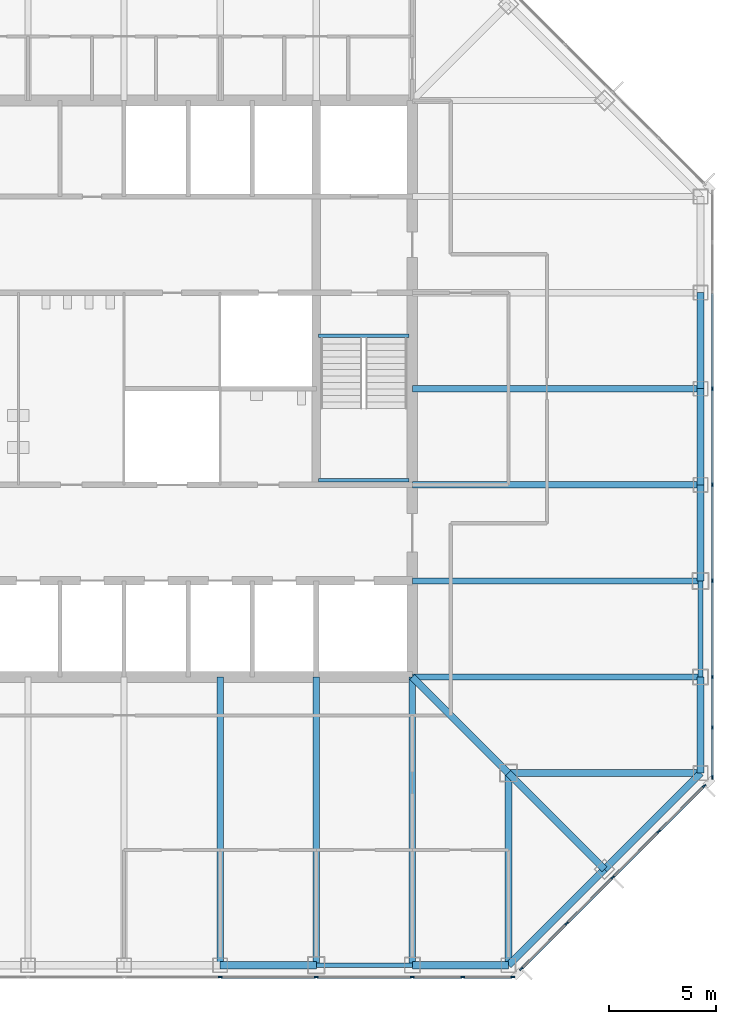
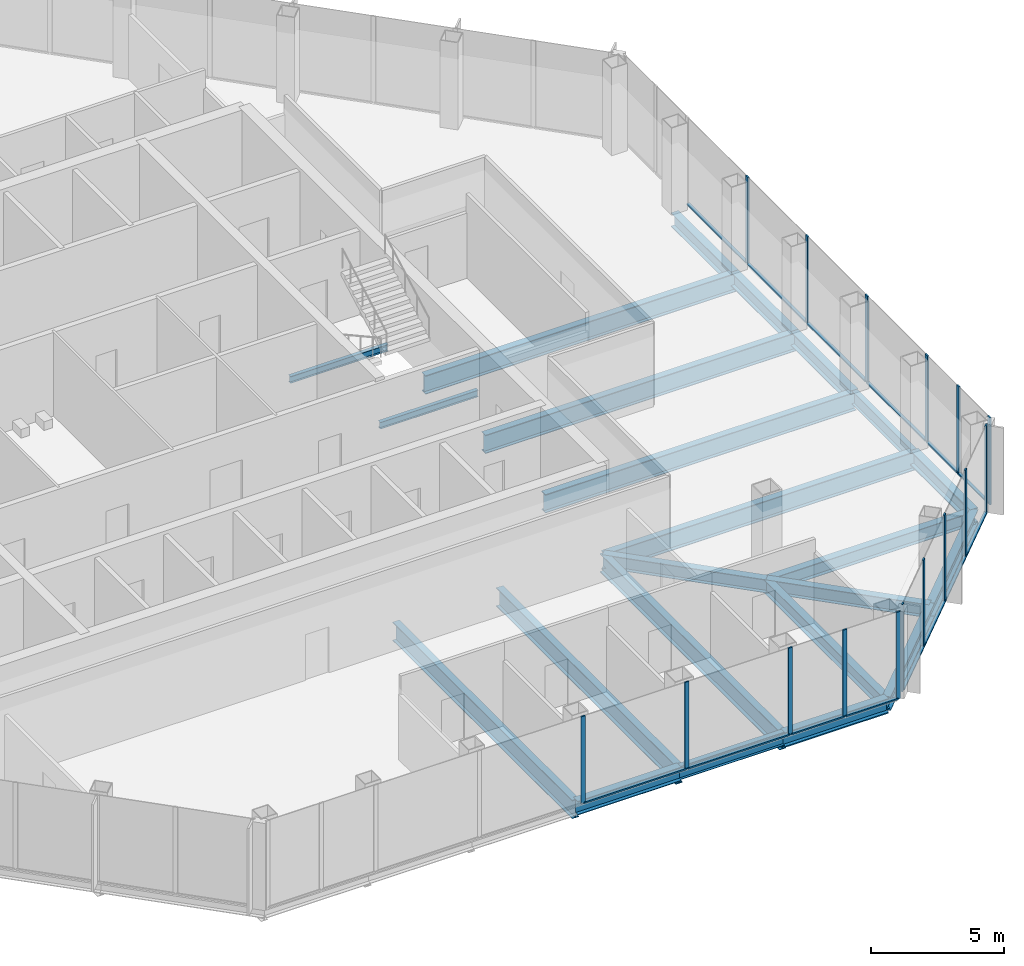
# One storey, part 4 of 12: 30 members, 23 beams, 3 elements without a shape of their own.
"""IFC4 building model written with IfcOpenShell, lengths in metres."""

from ifc_helpers import new_model, si_unit, direction, frame, origin, origin_2d, place, context, subcontext, project, spatial, rectangle, i_section, extrude, material, material_profile, profile_set, type_object, element, aggregate, save


model = new_model("IFC4")

# Units and contexts
model_context = context("Model", 3, precision=1e-05, world=origin(), true_north=direction((0.0, 1.0)))
body_context = subcontext(model_context, "Body", "Model", "MODEL_VIEW")
ifc_project = project(units=[si_unit("LENGTHUNIT", "METRE"), si_unit("AREAUNIT", "SQUARE_METRE"), si_unit("VOLUMEUNIT", "CUBIC_METRE"), si_unit("PLANEANGLEUNIT", "RADIAN"), si_unit("MASSUNIT", "GRAM", prefix="KILO")], contexts=[model_context])

# Site, building, storey
site_placement = place(None, origin())
site = spatial("IfcSite", under=ifc_project, at=site_placement, CompositionType="ELEMENT")
building_placement = place(site_placement, origin())
building = spatial("IfcBuilding", under=site, at=building_placement, Name="Corais Broadcast Tower", CompositionType="ELEMENT")
storey_placement = place(building_placement, frame((0.0, 0.0, 163.60009765625)))
storey = spatial("IfcBuildingStorey", under=building, at=storey_placement, Name="L37", CompositionType="ELEMENT", Elevation=163.60009765625)

# Beams
ifc_material_1 = material(Name="Steel ASTM A572 Grade 50", Category="steel")
ifc_material_profile_1 = material_profile(ifc_material_1, i_section(OverallWidth=0.323974609375, OverallDepth=0.611083984375, WebThickness=0.0126953125, FlangeThickness=0.01904296875, at=origin_2d()), Name="W610x155")
ifc_profile_set_1 = profile_set([ifc_material_profile_1], Name="Steel ASTM A572 Grade 50")
beam_type_1 = type_object("IfcBeamType", Name="Chamfer tie W610x155", PredefinedType="BEAM", material=ifc_profile_set_1)
beam_1_placement = place(storey_placement, frame((49.5, 4.5, -0.465576171875), z_axis=(-0.707106781187, 0.707106781187, 0.0), x_axis=(-0.707106781187, -0.707106781187, 0.0)))
element("IfcBeam", 1, at=beam_1_placement, inside=storey, type_object=beam_type_1, Name="B5 B/14 to C/13", PredefinedType="BEAM", context=body_context, shape_type="SweptSolid", body=[
    extrude(i_section(OverallWidth=0.323974609375, OverallDepth=0.611083984375, WebThickness=0.0126953125, FlangeThickness=0.01904296875, at=origin_2d()), origin(), (0.0, 0.0, 1.0), 6.364013671875),
])
ifc_material_2 = material(Name="Steel ASTM A572 Grade 50", Category="steel")
ifc_material_profile_2 = material_profile(ifc_material_2, i_section(OverallWidth=0.323974609375, OverallDepth=0.611083984375, WebThickness=0.0126953125, FlangeThickness=0.01904296875, at=origin_2d()), Name="W610x155")
ifc_profile_set_2 = profile_set([ifc_material_profile_2], Name="Steel ASTM A572 Grade 50")
beam_type_2 = type_object("IfcBeamType", Name="Corner diagonal W610x155", PredefinedType="BEAM", material=ifc_profile_set_2)
beam_2_placement = place(storey_placement, frame((45.0, 9.0, -0.465576171875), z_axis=(-0.707106781187, 0.707106781187, 0.0), x_axis=(-0.707106781187, -0.707106781187, 0.0)))
element("IfcBeam", 2, at=beam_2_placement, inside=storey, type_object=beam_type_2, Name="B6 C/13 to D/12", PredefinedType="BEAM", context=body_context, shape_type="SweptSolid", body=[
    extrude(i_section(OverallWidth=0.323974609375, OverallDepth=0.611083984375, WebThickness=0.0126953125, FlangeThickness=0.01904296875, at=origin_2d()), origin(), (0.0, 0.0, 1.0), 6.364013671875),
])
ifc_material_3 = material(Name="Steel ASTM A572 Grade 50", Category="steel")
ifc_material_profile_3 = material_profile(ifc_material_3, i_section(OverallWidth=0.323974609375, OverallDepth=0.611083984375, WebThickness=0.0126953125, FlangeThickness=0.01904296875, at=origin_2d()), Name="W610x155")
ifc_profile_set_3 = profile_set([ifc_material_profile_3], Name="Steel ASTM A572 Grade 50")
beam_type_3 = type_object("IfcBeamType", Name="Corner girder W610x155", PredefinedType="BEAM", material=ifc_profile_set_3)
for number, where, z_axis, x_axis, name in (
    (3, (45.0, 0.0, -0.465576171875), (0.0, 1.0, 0.0), (-1.0, 0.0, 0.0), "B4 A/13 to C/13"),
    (4, (54.0, 9.0, -0.465576171875), (-1.0, 0.0, 0.0), (0.0, -1.0, 0.0), "B4 C/15 to C/13"),
):
    element("IfcBeam", number, at=place(storey_placement, frame(where, z_axis=z_axis, x_axis=x_axis)), inside=storey, type_object=beam_type_3, Name=name, PredefinedType="BEAM", context=body_context, shape_type="SweptSolid", body=[
        extrude(i_section(OverallWidth=0.323974609375, OverallDepth=0.611083984375, WebThickness=0.0126953125, FlangeThickness=0.01904296875, at=origin_2d()), origin(), (0.0, 0.0, 1.0), 9.0),
    ])
ifc_material_4 = material(Name="Steel ASTM A572 Grade 50", Category="steel")
ifc_material_profile_4 = material_profile(ifc_material_4, i_section(OverallWidth=0.337890625, OverallDepth=0.677978515625, WebThickness=0.029541015625, FlangeThickness=0.052978515625, at=origin_2d()), Name="W610x415")
ifc_profile_set_4 = profile_set([ifc_material_profile_4], Name="Steel ASTM A572 Grade 50")
beam_type_4 = type_object("IfcBeamType", Name="Corner spandrel W610x415", PredefinedType="BEAM", material=ifc_profile_set_4)
for number, where, z_axis, x_axis, name in (
    (5, (40.5, 0.0, -0.4990234375), (1.0, 0.0, 0.0), (0.0, 1.0, 0.0), "SB10 A/12 to A/13"),
    (6, (54.0, 9.0, -0.4990234375), (0.0, 1.0, 0.0), (-1.0, 0.0, 0.0), "SB10 C/15 to D/15"),
):
    element("IfcBeam", number, at=place(storey_placement, frame(where, z_axis=z_axis, x_axis=x_axis)), inside=storey, type_object=beam_type_4, Name=name, PredefinedType="BEAM", context=body_context, shape_type="SweptSolid", body=[
        extrude(i_section(OverallWidth=0.337890625, OverallDepth=0.677978515625, WebThickness=0.029541015625, FlangeThickness=0.052978515625, at=origin_2d()), origin(), (0.0, 0.0, 1.0), 4.5),
    ])
ifc_material_5 = material(Name="Steel ASTM A572 Grade 50", Category="steel")
ifc_material_profile_5 = material_profile(ifc_material_5, i_section(OverallWidth=0.2939453125, OverallDepth=0.85107421875, WebThickness=0.01611328125, FlangeThickness=0.02685546875, at=origin_2d()), Name="W840x226")
ifc_profile_set_5 = profile_set([ifc_material_profile_5], Name="Steel ASTM A572 Grade 50")
beam_type_5 = type_object("IfcBeamType", Name="Floor beam W840x226", PredefinedType="BEAM", material=ifc_profile_set_5)
for number, where, z_axis, x_axis, name in (
    (7, (31.5, 0.0, -0.585693359375), (0.0, 1.0, 0.0), (-1.0, 0.0, 0.0), "B1 A/10 to D/10"),
    (8, (36.0, 0.0, -0.585693359375), (0.0, 1.0, 0.0), (-1.0, 0.0, 0.0), "B1 A/11 to D/11"),
    (9, (40.5, 0.0, -0.585693359375), (0.0, 1.0, 0.0), (-1.0, 0.0, 0.0), "B1 A/12 to D/12"),
    (10, (54.0, 13.5, -0.585693359375), (-1.0, 0.0, 0.0), (0.0, -1.0, 0.0), "B1 D/15 to D/12"),
    (11, (54.0, 18.0, -0.585693359375), (-1.0, 0.0, 0.0), (0.0, -1.0, 0.0), "B1 E/15 to E/12"),
    (12, (54.0, 22.5, -0.585693359375), (-1.0, 0.0, 0.0), (0.0, -1.0, 0.0), "B1 F/15 to F/12"),
    (13, (54.0, 27.0, -0.585693359375), (-1.0, 0.0, 0.0), (0.0, -1.0, 0.0), "B1 G/15 to G/12"),
):
    element("IfcBeam", number, at=place(storey_placement, frame(where, z_axis=z_axis, x_axis=x_axis)), inside=storey, type_object=beam_type_5, Name=name, PredefinedType="BEAM", context=body_context, shape_type="SweptSolid", body=[
        extrude(i_section(OverallWidth=0.2939453125, OverallDepth=0.85107421875, WebThickness=0.01611328125, FlangeThickness=0.02685546875, at=origin_2d()), origin(), (0.0, 0.0, 1.0), 13.5),
    ])
ifc_material_6 = material(Name="Steel ASTM A572 Grade 50", Category="steel")
ifc_material_profile_6 = material_profile(ifc_material_6, i_section(OverallWidth=0.1650390625, OverallDepth=0.31005859375, WebThickness=0.005859375, FlangeThickness=0.009765625, at=origin_2d()), Name="W310x38.7")
ifc_profile_set_6 = profile_set([ifc_material_profile_6], Name="Steel ASTM A572 Grade 50")
beam_type_6 = type_object("IfcBeamType", Name="Landing trimmer W310x38.7", PredefinedType="BEAM", material=ifc_profile_set_6)
for number, where, z_axis, x_axis, name in (
    (14, (36.10009765625, 29.47509765625, -0.35498046875), (1.0, 0.0, 0.0), (0.0, 1.0, 0.0), "LT1 stair B landing trimmer L37"),
    (15, (36.10009765625, 22.715087890625, 1.64501953125), (1.0, 0.0, 0.0), (0.0, 1.0, 0.0), "LT1 stair B half landing trimmer L37"),
):
    element("IfcBeam", number, at=place(storey_placement, frame(where, z_axis=z_axis, x_axis=x_axis)), inside=storey, type_object=beam_type_6, Name=name, PredefinedType="BEAM", context=body_context, shape_type="SweptSolid", body=[
        extrude(i_section(OverallWidth=0.1650390625, OverallDepth=0.31005859375, WebThickness=0.005859375, FlangeThickness=0.009765625, at=origin_2d()), origin(), (0.0, 0.0, 1.0), 4.25),
    ])

# Curtain wall, members
ifc_material_7 = material(Name="Aluminium and glass", Category="aluminium")
curtain_wall_type = type_object("IfcCurtainWallType", Name="Unitised fritted curtain wall CW2", PredefinedType="NOTDEFINED", material=ifc_material_7)
curtain_wall_1_placement = place(storey_placement, origin())
curtain_wall_1 = element("IfcCurtainWall", 16, at=curtain_wall_1_placement, inside=storey, type_object=curtain_wall_type, Name="CW2 curtain wall L37 6", PredefinedType="NOTDEFINED")
ifc_material_8 = material(Name="Aluminium 6063-T6", Category="aluminium")
ifc_material_profile_7 = material_profile(ifc_material_8, rectangle(XDim=0.06494140625, YDim=0.179931640625, at=origin_2d()), Name="Mullion CW2 65x180")
ifc_profile_set_7 = profile_set([ifc_material_profile_7], Name="Aluminium 6063-T6")
member_type_1 = type_object("IfcMemberType", Name="Mullion CW2 65x180", PredefinedType="MULLION", material=ifc_profile_set_7)
member_1_placement = place(storey_placement, frame((54.550048828125, 27.0, 0.0), z_axis=(0.0, 0.0, 1.0), x_axis=(1.0, 0.0, 0.0)))
member_1 = element("IfcMember", 17, at=member_1_placement, type_object=member_type_1, Name="CW2 mullion 4", PredefinedType="MULLION", context=body_context, shape_type="SweptSolid", body=[
    extrude(rectangle(XDim=0.06494140625, YDim=0.179931640625, at=origin_2d()), origin(), (0.0, 0.0, 1.0), 4.0),
])
member_2_placement = place(storey_placement, frame((54.550048828125, 22.5, 0.0), z_axis=(0.0, 0.0, 1.0), x_axis=(1.0, 0.0, 0.0)))
member_2 = element("IfcMember", 18, at=member_2_placement, type_object=member_type_1, Name="CW2 mullion 5", PredefinedType="MULLION", context=body_context, shape_type="SweptSolid", body=[
    extrude(rectangle(XDim=0.06494140625, YDim=0.179931640625, at=origin_2d()), origin(), (0.0, 0.0, 1.0), 4.0),
])
member_3_placement = place(storey_placement, frame((54.550048828125, 18.0, 0.0), z_axis=(0.0, 0.0, 1.0), x_axis=(1.0, 0.0, 0.0)))
member_3 = element("IfcMember", 19, at=member_3_placement, type_object=member_type_1, Name="CW2 mullion 6", PredefinedType="MULLION", context=body_context, shape_type="SweptSolid", body=[
    extrude(rectangle(XDim=0.06494140625, YDim=0.179931640625, at=origin_2d()), origin(), (0.0, 0.0, 1.0), 4.0),
])
member_4_placement = place(storey_placement, frame((54.550048828125, 13.5, 0.0), z_axis=(0.0, 0.0, 1.0), x_axis=(1.0, 0.0, 0.0)))
member_4 = element("IfcMember", 20, at=member_4_placement, type_object=member_type_1, Name="CW2 mullion 7", PredefinedType="MULLION", context=body_context, shape_type="SweptSolid", body=[
    extrude(rectangle(XDim=0.06494140625, YDim=0.179931640625, at=origin_2d()), origin(), (0.0, 0.0, 1.0), 4.0),
])
member_5_placement = place(storey_placement, frame((54.550048828125, 11.135986328125, 0.0), z_axis=(0.0, 0.0, 1.0), x_axis=(1.0, 0.0, 0.0)))
member_5 = element("IfcMember", 21, at=member_5_placement, type_object=member_type_1, Name="CW2 mullion 8", PredefinedType="MULLION", context=body_context, shape_type="SweptSolid", body=[
    extrude(rectangle(XDim=0.06494140625, YDim=0.179931640625, at=origin_2d()), origin(), (0.0, 0.0, 1.0), 4.0),
])
member_6_placement = place(storey_placement, frame((54.550048828125, 8.8046875, 0.0), z_axis=(0.0, 0.0, 1.0), x_axis=(1.0, 0.0, 0.0)))
member_6 = element("IfcMember", 22, at=member_6_placement, type_object=member_type_1, Name="CW2 mullion 9", PredefinedType="MULLION", context=body_context, shape_type="SweptSolid", body=[
    extrude(rectangle(XDim=0.06494140625, YDim=0.179931640625, at=origin_2d()), origin(), (0.0, 0.0, 1.0), 4.0),
])

curtain_wall_2_placement = place(storey_placement, origin())
curtain_wall_2 = element("IfcCurtainWall", 23, at=curtain_wall_2_placement, inside=storey, type_object=curtain_wall_type, Name="CW2 curtain wall L37 7", PredefinedType="NOTDEFINED")
member_7_placement = place(storey_placement, frame((54.17333984375, 8.3955078125, 0.0), z_axis=(0.0, 0.0, 1.0), x_axis=(0.707106781187, -0.707106781187, 0.0)))
member_7 = element("IfcMember", 24, at=member_7_placement, type_object=member_type_1, Name="CW2 mullion 1", PredefinedType="MULLION", context=body_context, shape_type="SweptSolid", body=[
    extrude(rectangle(XDim=0.06494140625, YDim=0.179931640625, at=origin_2d()), origin(), (0.0, 0.0, 1.0), 4.0),
])
member_8_placement = place(storey_placement, frame((52.042724609375, 6.264892578125, 0.0), z_axis=(0.0, 0.0, 1.0), x_axis=(0.707106781187, -0.707106781187, 0.0)))
member_8 = element("IfcMember", 25, at=member_8_placement, type_object=member_type_1, Name="CW2 mullion 2", PredefinedType="MULLION", context=body_context, shape_type="SweptSolid", body=[
    extrude(rectangle(XDim=0.06494140625, YDim=0.179931640625, at=origin_2d()), origin(), (0.0, 0.0, 1.0), 4.0),
])
member_9_placement = place(storey_placement, frame((49.888916015625, 4.111083984375, 0.0), z_axis=(0.0, 0.0, 1.0), x_axis=(0.707106781187, -0.707106781187, 0.0)))
member_9 = element("IfcMember", 26, at=member_9_placement, type_object=member_type_1, Name="CW2 mullion 3", PredefinedType="MULLION", context=body_context, shape_type="SweptSolid", body=[
    extrude(rectangle(XDim=0.06494140625, YDim=0.179931640625, at=origin_2d()), origin(), (0.0, 0.0, 1.0), 4.0),
])
member_10_placement = place(storey_placement, frame((47.735107421875, 1.957275390625, 0.0), z_axis=(0.0, 0.0, 1.0), x_axis=(0.707106781187, -0.707106781187, 0.0)))
member_10 = element("IfcMember", 27, at=member_10_placement, type_object=member_type_1, Name="CW2 mullion 4", PredefinedType="MULLION", context=body_context, shape_type="SweptSolid", body=[
    extrude(rectangle(XDim=0.06494140625, YDim=0.179931640625, at=origin_2d()), origin(), (0.0, 0.0, 1.0), 4.0),
])
member_11_placement = place(storey_placement, frame((45.6044921875, -0.17333984375, 0.0), z_axis=(0.0, 0.0, 1.0), x_axis=(0.707106781187, -0.707106781187, 0.0)))
member_11 = element("IfcMember", 28, at=member_11_placement, type_object=member_type_1, Name="CW2 mullion 5", PredefinedType="MULLION", context=body_context, shape_type="SweptSolid", body=[
    extrude(rectangle(XDim=0.06494140625, YDim=0.179931640625, at=origin_2d()), origin(), (0.0, 0.0, 1.0), 4.0),
])

curtain_wall_3_placement = place(storey_placement, origin())
curtain_wall_3 = element("IfcCurtainWall", 29, at=curtain_wall_3_placement, inside=storey, type_object=curtain_wall_type, Name="CW2 curtain wall L37 8", PredefinedType="NOTDEFINED")
member_12_placement = place(storey_placement, frame((45.1953125, -0.550048828125, 0.0), z_axis=(0.0, 0.0, 1.0), x_axis=(0.0, -1.0, 0.0)))
member_12 = element("IfcMember", 30, at=member_12_placement, type_object=member_type_1, Name="CW2 mullion 1", PredefinedType="MULLION", context=body_context, shape_type="SweptSolid", body=[
    extrude(rectangle(XDim=0.06494140625, YDim=0.179931640625, at=origin_2d()), origin(), (0.0, 0.0, 1.0), 4.0),
])
member_13_placement = place(storey_placement, frame((42.864013671875, -0.550048828125, 0.0), z_axis=(0.0, 0.0, 1.0), x_axis=(0.0, -1.0, 0.0)))
member_13 = element("IfcMember", 31, at=member_13_placement, type_object=member_type_1, Name="CW2 mullion 2", PredefinedType="MULLION", context=body_context, shape_type="SweptSolid", body=[
    extrude(rectangle(XDim=0.06494140625, YDim=0.179931640625, at=origin_2d()), origin(), (0.0, 0.0, 1.0), 4.0),
])
member_14_placement = place(storey_placement, frame((40.5, -0.550048828125, 0.0), z_axis=(0.0, 0.0, 1.0), x_axis=(0.0, -1.0, 0.0)))
member_14 = element("IfcMember", 32, at=member_14_placement, type_object=member_type_1, Name="CW2 mullion 3", PredefinedType="MULLION", context=body_context, shape_type="SweptSolid", body=[
    extrude(rectangle(XDim=0.06494140625, YDim=0.179931640625, at=origin_2d()), origin(), (0.0, 0.0, 1.0), 4.0),
])
member_15_placement = place(storey_placement, frame((36.0, -0.550048828125, 0.0), z_axis=(0.0, 0.0, 1.0), x_axis=(0.0, -1.0, 0.0)))
member_15 = element("IfcMember", 33, at=member_15_placement, type_object=member_type_1, Name="CW2 mullion 4", PredefinedType="MULLION", context=body_context, shape_type="SweptSolid", body=[
    extrude(rectangle(XDim=0.06494140625, YDim=0.179931640625, at=origin_2d()), origin(), (0.0, 0.0, 1.0), 4.0),
])
member_16_placement = place(storey_placement, frame((31.5, -0.550048828125, 0.0), z_axis=(0.0, 0.0, 1.0), x_axis=(0.0, -1.0, 0.0)))
member_16 = element("IfcMember", 34, at=member_16_placement, type_object=member_type_1, Name="CW2 mullion 5", PredefinedType="MULLION", context=body_context, shape_type="SweptSolid", body=[
    extrude(rectangle(XDim=0.06494140625, YDim=0.179931640625, at=origin_2d()), origin(), (0.0, 0.0, 1.0), 4.0),
])

# Beams
ifc_material_9 = material(Name="Steel ASTM A572 Grade 50", Category="steel")
ifc_material_profile_8 = material_profile(ifc_material_9, i_section(OverallWidth=0.22900390625, OverallDepth=0.612060546875, WebThickness=0.011962890625, FlangeThickness=0.01953125, at=origin_2d()), Name="W610x125")
ifc_profile_set_8 = profile_set([ifc_material_profile_8], Name="Steel ASTM A572 Grade 50")
beam_type_7 = type_object("IfcBeamType", Name="Pinned spandrel W610x125", PredefinedType="BEAM", material=ifc_profile_set_8)
for number, where, z_axis, x_axis, name in (
    (35, (36.0, 0.0, -0.466064453125), (1.0, 0.0, 0.0), (0.0, 1.0, 0.0), "SB7 A/11 to A/12"),
    (36, (54.0, 13.5, -0.466064453125), (0.0, 1.0, 0.0), (-1.0, 0.0, 0.0), "SB7 D/15 to E/15"),
):
    element("IfcBeam", number, at=place(storey_placement, frame(where, z_axis=z_axis, x_axis=x_axis)), inside=storey, type_object=beam_type_7, Name=name, PredefinedType="BEAM", context=body_context, shape_type="SweptSolid", body=[
        extrude(i_section(OverallWidth=0.22900390625, OverallDepth=0.612060546875, WebThickness=0.011962890625, FlangeThickness=0.01953125, at=origin_2d()), origin(), (0.0, 0.0, 1.0), 4.5),
    ])
ifc_material_10 = material(Name="Steel ASTM A572 Grade 50", Category="steel")
ifc_material_profile_9 = material_profile(ifc_material_10, i_section(OverallWidth=0.3291015625, OverallDepth=0.635009765625, WebThickness=0.017822265625, FlangeThickness=0.031005859375, at=origin_2d()), Name="W610x241")
ifc_profile_set_9 = profile_set([ifc_material_profile_9], Name="Steel ASTM A572 Grade 50")
beam_type_8 = type_object("IfcBeamType", Name="Spandrel W610x241", PredefinedType="BEAM", material=ifc_profile_set_9)
beam_3_placement = place(storey_placement, frame((31.5, 0.0, -0.4775390625), z_axis=(1.0, 0.0, 0.0), x_axis=(0.0, 1.0, 0.0)))
element("IfcBeam", 37, at=beam_3_placement, inside=storey, type_object=beam_type_8, Name="SB1 A/10 to A/11", PredefinedType="BEAM", context=body_context, shape_type="SweptSolid", body=[
    extrude(i_section(OverallWidth=0.3291015625, OverallDepth=0.635009765625, WebThickness=0.017822265625, FlangeThickness=0.031005859375, at=origin_2d()), origin(), (0.0, 0.0, 1.0), 4.5),
])
for number, where, z_axis, x_axis, name in (
    (38, (45.0, 0.0, -0.4775390625), (0.707106781187, 0.707106781187, 0.0), (-0.707106781187, 0.707106781187, 0.0), "SB1 A/13 to B/14"),
    (39, (49.5, 4.5, -0.4775390625), (0.707106781187, 0.707106781187, 0.0), (-0.707106781187, 0.707106781187, 0.0), "SB1 B/14 to C/15"),
):
    element("IfcBeam", number, at=place(storey_placement, frame(where, z_axis=z_axis, x_axis=x_axis)), inside=storey, type_object=beam_type_8, Name=name, PredefinedType="BEAM", context=body_context, shape_type="SweptSolid", body=[
        extrude(i_section(OverallWidth=0.3291015625, OverallDepth=0.635009765625, WebThickness=0.017822265625, FlangeThickness=0.031005859375, at=origin_2d()), origin(), (0.0, 0.0, 1.0), 6.364013671875),
    ])
for number, where, z_axis, x_axis, name in (
    (40, (54.0, 18.0, -0.4775390625), (0.0, 1.0, 0.0), (-1.0, 0.0, 0.0), "SB1 E/15 to F/15"),
    (41, (54.0, 22.5, -0.4775390625), (0.0, 1.0, 0.0), (-1.0, 0.0, 0.0), "SB1 F/15 to G/15"),
    (42, (54.0, 27.0, -0.4775390625), (0.0, 1.0, 0.0), (-1.0, 0.0, 0.0), "SB1 G/15 to H/15"),
):
    element("IfcBeam", number, at=place(storey_placement, frame(where, z_axis=z_axis, x_axis=x_axis)), inside=storey, type_object=beam_type_8, Name=name, PredefinedType="BEAM", context=body_context, shape_type="SweptSolid", body=[
        extrude(i_section(OverallWidth=0.3291015625, OverallDepth=0.635009765625, WebThickness=0.017822265625, FlangeThickness=0.031005859375, at=origin_2d()), origin(), (0.0, 0.0, 1.0), 4.5),
    ])

# Member
ifc_material_11 = material(Name="Aluminium 6063-T6", Category="aluminium")
ifc_material_profile_10 = material_profile(ifc_material_11, rectangle(XDim=0.1298828125, YDim=0.06494140625, at=origin_2d()), Name="Transom CW2 65x130")
ifc_profile_set_10 = profile_set([ifc_material_profile_10], Name="Aluminium 6063-T6")
member_type_2 = type_object("IfcMemberType", Name="Transom CW2 65x130", PredefinedType="USERDEFINED", material=ifc_profile_set_10)
member_17_placement = place(storey_placement, frame((54.550048828125, 31.467529296875, 0.032470703125), z_axis=(0.0, -1.0, 0.0), x_axis=(1.0, 0.0, 0.0)))
member_17 = element("IfcMember", 43, at=member_17_placement, type_object=member_type_2, Name="CW2 transom 3.1", ObjectType="TRANSOM", PredefinedType="USERDEFINED", context=body_context, shape_type="SweptSolid", body=[
    extrude(rectangle(XDim=0.1298828125, YDim=0.06494140625, at=origin_2d()), origin(), (0.0, 0.0, 1.0), 4.43505859375),
])

member_18_placement = place(storey_placement, frame((54.550048828125, 26.967529296875, 0.032470703125), z_axis=(0.0, -1.0, 0.0), x_axis=(1.0, 0.0, 0.0)))
member_18 = element("IfcMember", 44, at=member_18_placement, type_object=member_type_2, Name="CW2 transom 4.1", ObjectType="TRANSOM", PredefinedType="USERDEFINED", context=body_context, shape_type="SweptSolid", body=[
    extrude(rectangle(XDim=0.1298828125, YDim=0.06494140625, at=origin_2d()), origin(), (0.0, 0.0, 1.0), 4.43505859375),
])

member_19_placement = place(storey_placement, frame((54.550048828125, 22.467529296875, 0.032470703125), z_axis=(0.0, -1.0, 0.0), x_axis=(1.0, 0.0, 0.0)))
member_19 = element("IfcMember", 45, at=member_19_placement, type_object=member_type_2, Name="CW2 transom 5.1", ObjectType="TRANSOM", PredefinedType="USERDEFINED", context=body_context, shape_type="SweptSolid", body=[
    extrude(rectangle(XDim=0.1298828125, YDim=0.06494140625, at=origin_2d()), origin(), (0.0, 0.0, 1.0), 4.43505859375),
])

member_20_placement = place(storey_placement, frame((54.550048828125, 17.967529296875, 0.032470703125), z_axis=(0.0, -1.0, 0.0), x_axis=(1.0, 0.0, 0.0)))
member_20 = element("IfcMember", 46, at=member_20_placement, type_object=member_type_2, Name="CW2 transom 6.1", ObjectType="TRANSOM", PredefinedType="USERDEFINED", context=body_context, shape_type="SweptSolid", body=[
    extrude(rectangle(XDim=0.1298828125, YDim=0.06494140625, at=origin_2d()), origin(), (0.0, 0.0, 1.0), 4.43505859375),
])

member_21_placement = place(storey_placement, frame((54.550048828125, 13.467529296875, 0.032470703125), z_axis=(0.0, -1.0, 0.0), x_axis=(1.0, 0.0, 0.0)))
member_21 = element("IfcMember", 47, at=member_21_placement, type_object=member_type_2, Name="CW2 transom 7.1", ObjectType="TRANSOM", PredefinedType="USERDEFINED", context=body_context, shape_type="SweptSolid", body=[
    extrude(rectangle(XDim=0.1298828125, YDim=0.06494140625, at=origin_2d()), origin(), (0.0, 0.0, 1.0), 2.298828125),
])

member_22_placement = place(storey_placement, frame((54.550048828125, 11.103515625, 0.032470703125), z_axis=(0.0, -1.0, 0.0), x_axis=(1.0, 0.0, 0.0)))
member_22 = element("IfcMember", 48, at=member_22_placement, type_object=member_type_2, Name="CW2 transom 8.1", ObjectType="TRANSOM", PredefinedType="USERDEFINED", context=body_context, shape_type="SweptSolid", body=[
    extrude(rectangle(XDim=0.1298828125, YDim=0.06494140625, at=origin_2d()), origin(), (0.0, 0.0, 1.0), 2.266357421875),
])

aggregate(curtain_wall_1, [member_1, member_2, member_3, member_4, member_5, member_6, member_17, member_18, member_19, member_20, member_21, member_22])

member_23_placement = place(storey_placement, frame((54.150390625, 8.37255859375, 0.032470703125), z_axis=(-0.707106781187, -0.707106781187, 0.0), x_axis=(0.707106781187, -0.707106781187, 0.0)))
member_23 = element("IfcMember", 49, at=member_23_placement, type_object=member_type_2, Name="CW2 transom 1.1", ObjectType="TRANSOM", PredefinedType="USERDEFINED", context=body_context, shape_type="SweptSolid", body=[
    extrude(rectangle(XDim=0.1298828125, YDim=0.06494140625, at=origin_2d()), origin(), (0.0, 0.0, 1.0), 2.9482421875),
])

member_24_placement = place(storey_placement, frame((52.019775390625, 6.241943359375, 0.032470703125), z_axis=(-0.707106781187, -0.707106781187, 0.0), x_axis=(0.707106781187, -0.707106781187, 0.0)))
member_24 = element("IfcMember", 50, at=member_24_placement, type_object=member_type_2, Name="CW2 transom 2.1", ObjectType="TRANSOM", PredefinedType="USERDEFINED", context=body_context, shape_type="SweptSolid", body=[
    extrude(rectangle(XDim=0.1298828125, YDim=0.06494140625, at=origin_2d()), origin(), (0.0, 0.0, 1.0), 2.98095703125),
])

member_25_placement = place(storey_placement, frame((49.865966796875, 4.088134765625, 0.032470703125), z_axis=(-0.707106781187, -0.707106781187, 0.0), x_axis=(0.707106781187, -0.707106781187, 0.0)))
member_25 = element("IfcMember", 51, at=member_25_placement, type_object=member_type_2, Name="CW2 transom 3.1", ObjectType="TRANSOM", PredefinedType="USERDEFINED", context=body_context, shape_type="SweptSolid", body=[
    extrude(rectangle(XDim=0.1298828125, YDim=0.06494140625, at=origin_2d()), origin(), (0.0, 0.0, 1.0), 2.98095703125),
])

member_26_placement = place(storey_placement, frame((47.712158203125, 1.934326171875, 0.032470703125), z_axis=(-0.707106781187, -0.707106781187, 0.0), x_axis=(0.707106781187, -0.707106781187, 0.0)))
member_26 = element("IfcMember", 52, at=member_26_placement, type_object=member_type_2, Name="CW2 transom 4.1", ObjectType="TRANSOM", PredefinedType="USERDEFINED", context=body_context, shape_type="SweptSolid", body=[
    extrude(rectangle(XDim=0.1298828125, YDim=0.06494140625, at=origin_2d()), origin(), (0.0, 0.0, 1.0), 2.9482421875),
])

aggregate(curtain_wall_2, [member_7, member_8, member_9, member_10, member_11, member_23, member_24, member_25, member_26])

member_27_placement = place(storey_placement, frame((45.162841796875, -0.550048828125, 0.032470703125), z_axis=(-1.0, 0.0, 0.0), x_axis=(0.0, -1.0, 0.0)))
member_27 = element("IfcMember", 53, at=member_27_placement, type_object=member_type_2, Name="CW2 transom 1.1", ObjectType="TRANSOM", PredefinedType="USERDEFINED", context=body_context, shape_type="SweptSolid", body=[
    extrude(rectangle(XDim=0.1298828125, YDim=0.06494140625, at=origin_2d()), origin(), (0.0, 0.0, 1.0), 2.266357421875),
])

member_28_placement = place(storey_placement, frame((42.831298828125, -0.550048828125, 0.032470703125), z_axis=(-1.0, 0.0, 0.0), x_axis=(0.0, -1.0, 0.0)))
member_28 = element("IfcMember", 54, at=member_28_placement, type_object=member_type_2, Name="CW2 transom 2.1", ObjectType="TRANSOM", PredefinedType="USERDEFINED", context=body_context, shape_type="SweptSolid", body=[
    extrude(rectangle(XDim=0.1298828125, YDim=0.06494140625, at=origin_2d()), origin(), (0.0, 0.0, 1.0), 2.298828125),
])

member_29_placement = place(storey_placement, frame((40.467529296875, -0.550048828125, 0.032470703125), z_axis=(-1.0, 0.0, 0.0), x_axis=(0.0, -1.0, 0.0)))
member_29 = element("IfcMember", 55, at=member_29_placement, type_object=member_type_2, Name="CW2 transom 3.1", ObjectType="TRANSOM", PredefinedType="USERDEFINED", context=body_context, shape_type="SweptSolid", body=[
    extrude(rectangle(XDim=0.1298828125, YDim=0.06494140625, at=origin_2d()), origin(), (0.0, 0.0, 1.0), 4.43505859375),
])

member_30_placement = place(storey_placement, frame((35.967529296875, -0.550048828125, 0.032470703125), z_axis=(-1.0, 0.0, 0.0), x_axis=(0.0, -1.0, 0.0)))
member_30 = element("IfcMember", 56, at=member_30_placement, type_object=member_type_2, Name="CW2 transom 4.1", ObjectType="TRANSOM", PredefinedType="USERDEFINED", context=body_context, shape_type="SweptSolid", body=[
    extrude(rectangle(XDim=0.1298828125, YDim=0.06494140625, at=origin_2d()), origin(), (0.0, 0.0, 1.0), 4.43505859375),
])

aggregate(curtain_wall_3, [member_12, member_13, member_14, member_15, member_16, member_27, member_28, member_29, member_30])

save(model, "model.ifc")
